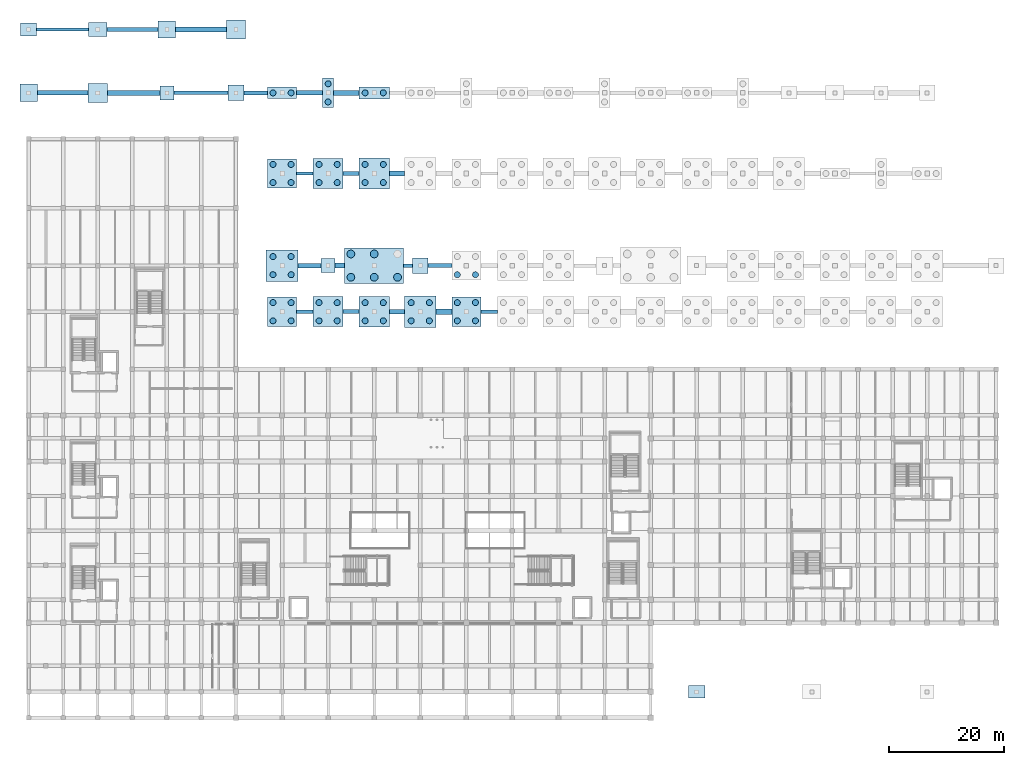
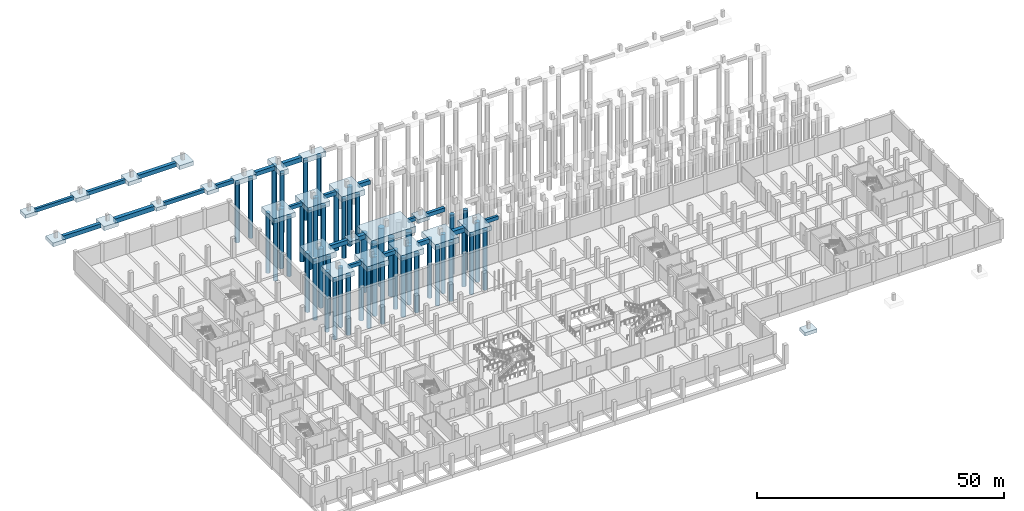
# One storey, part 1 of 36: 49 piles, 45 footings.
"""IFC4 building model written with IfcOpenShell, lengths in metres."""

from ifc_helpers import new_model, si_unit, direction, frame, origin, origin_2d, place, context, subcontext, project, spatial, rectangle, circle, extrude, material, material_profile, profile_set, type_object, element, save


model = new_model("IFC4")

# Units and contexts
model_context = context("Model", 3, precision=1e-05, world=origin(), true_north=direction((0.0, 1.0)))
body_context = subcontext(model_context, "Body", "Model", "MODEL_VIEW")
ifc_project = project(units=[si_unit("LENGTHUNIT", "METRE"), si_unit("AREAUNIT", "SQUARE_METRE"), si_unit("VOLUMEUNIT", "CUBIC_METRE"), si_unit("PLANEANGLEUNIT", "RADIAN"), si_unit("MASSUNIT", "GRAM", prefix="KILO")], contexts=[model_context])

# Site, building, storey
site_placement = place(None, origin())
site = spatial("IfcSite", under=ifc_project, at=site_placement, CompositionType="ELEMENT")
building_placement = place(site_placement, origin())
building = spatial("IfcBuilding", under=site, at=building_placement, Name="Verrall Gate Interchange", CompositionType="ELEMENT")
storey_placement = place(building_placement, frame((0.0, 0.0, -4.800048828125)))
storey = spatial("IfcBuildingStorey", under=building, at=storey_placement, Name="B1", CompositionType="ELEMENT", Elevation=-4.800048828125)

# Footings
ifc_material_1 = material(Name="Concrete CSA A23.1 35 MPa (Class S-2)", Category="concrete")
footing_type_1 = type_object("IfcFootingType", Name="PC-02A Pile Cap 5050x1950x1200", PredefinedType="PILE_CAP", material=ifc_material_1)
footing_1_placement = place(storey_placement, frame((44.0, 104.0, 2.0), z_axis=(0.0, 0.0, 1.0), x_axis=(1.0, 0.0, 0.0)))
element("IfcFooting", 1, at=footing_1_placement, inside=storey, type_object=footing_type_1, Name="Pile Cap FTG-CAP-42 (PC-02A)", PredefinedType="PILE_CAP", context=body_context, shape_type="SweptSolid", body=[
    extrude(rectangle(XDim=5.050048828125, YDim=1.949951171875, at=origin_2d()), origin(), (0.0, 0.0, 1.0), 1.199951171875),
])
ifc_material_2 = material(Name="Concrete CSA A23.1 35 MPa (Class S-2)", Category="concrete")
footing_type_2 = type_object("IfcFootingType", Name="PC-02B Pile Cap 1950x5150x1220", PredefinedType="PILE_CAP", material=ifc_material_2)
footing_2_placement = place(storey_placement, frame((52.0, 104.0, 1.97998046875), z_axis=(0.0, 0.0, 1.0), x_axis=(1.0, 0.0, 0.0)))
element("IfcFooting", 2, at=footing_2_placement, inside=storey, type_object=footing_type_2, Name="Pile Cap FTG-CAP-43 (PC-02B)", PredefinedType="PILE_CAP", context=body_context, shape_type="SweptSolid", body=[
    extrude(rectangle(XDim=1.949951171875, YDim=5.14990234375, at=origin_2d()), origin(), (0.0, 0.0, 1.0), 1.219970703125),
])
ifc_material_3 = material(Name="Concrete CSA A23.1 35 MPa (Class S-2)", Category="concrete")
footing_type_3 = type_object("IfcFootingType", Name="PC-02C Pile Cap 5250x2050x1250", PredefinedType="PILE_CAP", material=ifc_material_3)
footing_3_placement = place(storey_placement, frame((60.0, 104.0, 1.949951171875), z_axis=(0.0, 0.0, 1.0), x_axis=(1.0, 0.0, 0.0)))
element("IfcFooting", 3, at=footing_3_placement, inside=storey, type_object=footing_type_3, Name="Pile Cap FTG-CAP-44 (PC-02C)", PredefinedType="PILE_CAP", context=body_context, shape_type="SweptSolid", body=[
    extrude(rectangle(XDim=5.25, YDim=2.050048828125, at=origin_2d()), origin(), (0.0, 0.0, 1.0), 1.25),
])
ifc_material_4 = material(Name="Concrete CSA A23.1 35 MPa (Class S-2)", Category="concrete")
footing_type_4 = type_object("IfcFootingType", Name="PC-04A Pile Cap 5050x5050x1200", PredefinedType="PILE_CAP", material=ifc_material_4)
for number, where, z_axis, x_axis, name in (
    (4, (44.0, 66.0, 2.0), (0.0, 0.0, 1.0), (1.0, 0.0, 0.0), "Pile Cap FTG-CAP-03 (PC-04A)"),
    (5, (76.0, 66.0, 2.0), (0.0, 0.0, 1.0), (1.0, 0.0, 0.0), "Pile Cap FTG-CAP-07 (PC-04A)"),
    (6, (44.0, 90.0, 2.0), (0.0, 0.0, 1.0), (1.0, 0.0, 0.0), "Pile Cap FTG-CAP-27 (PC-04A)"),
):
    element("IfcFooting", number, at=place(storey_placement, frame(where, z_axis=z_axis, x_axis=x_axis)), inside=storey, type_object=footing_type_4, Name=name, PredefinedType="PILE_CAP", context=body_context, shape_type="SweptSolid", body=[
        extrude(rectangle(XDim=5.050048828125, YDim=5.050048828125, at=origin_2d()), origin(), (0.0, 0.0, 1.0), 1.199951171875),
    ])
ifc_material_5 = material(Name="Concrete CSA A23.1 35 MPa (Class S-2)", Category="concrete")
footing_type_5 = type_object("IfcFootingType", Name="PC-04B Pile Cap 5200x5200x1300", PredefinedType="PILE_CAP", material=ifc_material_5)
for number, where, z_axis, x_axis, name in (
    (7, (52.0, 66.0, 1.89990234375), (0.0, 0.0, 1.0), (1.0, 0.0, 0.0), "Pile Cap FTG-CAP-04 (PC-04B)"),
    (8, (52.0, 90.0, 1.89990234375), (0.0, 0.0, 1.0), (1.0, 0.0, 0.0), "Pile Cap FTG-CAP-28 (PC-04B)"),
):
    element("IfcFooting", number, at=place(storey_placement, frame(where, z_axis=z_axis, x_axis=x_axis)), inside=storey, type_object=footing_type_5, Name=name, PredefinedType="PILE_CAP", context=body_context, shape_type="SweptSolid", body=[
        extrude(rectangle(XDim=5.199951171875, YDim=5.199951171875, at=origin_2d()), origin(), (0.0, 0.0, 1.0), 1.300048828125),
    ])
ifc_material_6 = material(Name="Concrete CSA A23.1 35 MPa (Class S-2)", Category="concrete")
footing_type_6 = type_object("IfcFootingType", Name="PC-04C Pile Cap 5350x5350x1350", PredefinedType="PILE_CAP", material=ifc_material_6)
for number, where, z_axis, x_axis, name in (
    (9, (60.0, 66.0, 1.85009765625), (0.0, 0.0, 1.0), (1.0, 0.0, 0.0), "Pile Cap FTG-CAP-05 (PC-04C)"),
    (10, (60.0, 90.0, 1.85009765625), (0.0, 0.0, 1.0), (1.0, 0.0, 0.0), "Pile Cap FTG-CAP-29 (PC-04C)"),
):
    element("IfcFooting", number, at=place(storey_placement, frame(where, z_axis=z_axis, x_axis=x_axis)), inside=storey, type_object=footing_type_6, Name=name, PredefinedType="PILE_CAP", context=body_context, shape_type="SweptSolid", body=[
        extrude(rectangle(XDim=5.35009765625, YDim=5.35009765625, at=origin_2d()), origin(), (0.0, 0.0, 1.0), 1.35009765625),
    ])
ifc_material_7 = material(Name="Concrete CSA A23.1 35 MPa (Class S-2)", Category="concrete")
footing_type_7 = type_object("IfcFootingType", Name="PC-04D Pile Cap 5500x5500x1400", PredefinedType="PILE_CAP", material=ifc_material_7)
for number, where, z_axis, x_axis, name in (
    (11, (68.0, 66.0, 1.800048828125), (0.0, 0.0, 1.0), (1.0, 0.0, 0.0), "Pile Cap FTG-CAP-06 (PC-04D)"),
    (12, (44.0, 74.0, 1.800048828125), (0.0, 0.0, 1.0), (1.0, 0.0, 0.0), "Pile Cap FTG-CAP-18 (PC-04D)"),
):
    element("IfcFooting", number, at=place(storey_placement, frame(where, z_axis=z_axis, x_axis=x_axis)), inside=storey, type_object=footing_type_7, Name=name, PredefinedType="PILE_CAP", context=body_context, shape_type="SweptSolid", body=[
        extrude(rectangle(XDim=5.5, YDim=5.5, at=origin_2d()), origin(), (0.0, 0.0, 1.0), 1.39990234375),
    ])
ifc_material_8 = material(Name="Concrete CSA A23.1 35 MPa (Class S-2)", Category="concrete")
footing_type_8 = type_object("IfcFootingType", Name="PC-06A Pile Cap 10250x6200x1500", PredefinedType="PILE_CAP", material=ifc_material_8)
footing_4_placement = place(storey_placement, frame((60.0, 74.0, 1.699951171875), z_axis=(0.0, 0.0, 1.0), x_axis=(1.0, 0.0, 0.0)))
element("IfcFooting", 13, at=footing_4_placement, inside=storey, type_object=footing_type_8, Name="Pile Cap FTG-CAP-01 (PC-06A)", PredefinedType="PILE_CAP", context=body_context, shape_type="SweptSolid", body=[
    extrude(rectangle(XDim=10.25, YDim=6.199951171875, at=origin_2d()), origin(), (0.0, 0.0, 1.0), 1.5),
])
ifc_material_9 = material(Name="Concrete CSA A23.1 35 MPa (Class S-2)", Category="concrete")
footing_type_9 = type_object("IfcFootingType", Name="PF-01 Pad Footing 2400x2400x850", PredefinedType="PAD_FOOTING", material=ifc_material_9)
for number, where, z_axis, x_axis, name in (
    (14, (52.0, 74.0, 2.35009765625), (0.0, 0.0, 1.0), (1.0, 0.0, 0.0), "Pad Footing FTG-PAD-01 (PF-01)"),
    (15, (24.0, 104.0, 2.35009765625), (0.0, 0.0, 1.0), (1.0, 0.0, 0.0), "Pad Footing FTG-PAD-13 (PF-01)"),
):
    element("IfcFooting", number, at=place(storey_placement, frame(where, z_axis=z_axis, x_axis=x_axis)), inside=storey, type_object=footing_type_9, Name=name, PredefinedType="PAD_FOOTING", context=body_context, shape_type="SweptSolid", body=[
        extrude(rectangle(XDim=2.39990234375, YDim=2.39990234375, at=origin_2d()), origin(), (0.0, 0.0, 1.0), 0.85009765625),
    ])
ifc_material_10 = material(Name="Concrete CSA A23.1 35 MPa (Class S-2)", Category="concrete")
footing_type_10 = type_object("IfcFootingType", Name="PF-02 Pad Footing 2700x2700x900", PredefinedType="PAD_FOOTING", material=ifc_material_10)
for number, where, z_axis, x_axis, name in (
    (16, (68.0, 74.0, 2.300048828125), (0.0, 0.0, 1.0), (1.0, 0.0, 0.0), "Pad Footing FTG-PAD-02 (PF-02)"),
    (17, (36.0, 104.0, 2.300048828125), (0.0, 0.0, 1.0), (1.0, 0.0, 0.0), "Pad Footing FTG-PAD-14 (PF-02)"),
):
    element("IfcFooting", number, at=place(storey_placement, frame(where, z_axis=z_axis, x_axis=x_axis)), inside=storey, type_object=footing_type_10, Name=name, PredefinedType="PAD_FOOTING", context=body_context, shape_type="SweptSolid", body=[
        extrude(rectangle(XDim=2.699951171875, YDim=2.699951171875, at=origin_2d()), origin(), (0.0, 0.0, 1.0), 0.89990234375),
    ])
ifc_material_11 = material(Name="Concrete CSA A23.1 35 MPa (Class S-2)", Category="concrete")
footing_type_11 = type_object("IfcFootingType", Name="PF-03 Pad Footing 3000x3000x950", PredefinedType="PAD_FOOTING", material=ifc_material_11)
for number, where, z_axis, x_axis, name in (
    (18, (0.0, 104.0, 2.25), (0.0, 0.0, 1.0), (1.0, 0.0, 0.0), "Pad Footing FTG-PAD-09 (PF-03)"),
    (19, (24.0, 115.0, 2.25), (0.0, 0.0, 1.0), (1.0, 0.0, 0.0), "Pad Footing FTG-PAD-15 (PF-03)"),
):
    element("IfcFooting", number, at=place(storey_placement, frame(where, z_axis=z_axis, x_axis=x_axis)), inside=storey, type_object=footing_type_11, Name=name, PredefinedType="PAD_FOOTING", context=body_context, shape_type="SweptSolid", body=[
        extrude(rectangle(XDim=3.0, YDim=3.0, at=origin_2d()), origin(), (0.0, 0.0, 1.0), 0.949951171875),
    ])
ifc_material_12 = material(Name="Concrete CSA A23.1 35 MPa (Class S-2)", Category="concrete")
footing_type_12 = type_object("IfcFootingType", Name="PF-04 Pad Footing 3300x3300x1000", PredefinedType="PAD_FOOTING", material=ifc_material_12)
for number, where, z_axis, x_axis, name in (
    (20, (12.0, 104.0, 2.199951171875), (0.0, 0.0, 1.0), (1.0, 0.0, 0.0), "Pad Footing FTG-PAD-10 (PF-04)"),
    (21, (36.0, 115.0, 2.199951171875), (0.0, 0.0, 1.0), (1.0, 0.0, 0.0), "Pad Footing FTG-PAD-16 (PF-04)"),
):
    element("IfcFooting", number, at=place(storey_placement, frame(where, z_axis=z_axis, x_axis=x_axis)), inside=storey, type_object=footing_type_12, Name=name, PredefinedType="PAD_FOOTING", context=body_context, shape_type="SweptSolid", body=[
        extrude(rectangle(XDim=3.300048828125, YDim=3.300048828125, at=origin_2d()), origin(), (0.0, 0.0, 1.0), 1.0),
    ])
ifc_material_13 = material(Name="Concrete CSA A23.1 35 MPa (Class S-2)", Category="concrete")
footing_type_13 = type_object("IfcFootingType", Name="PF-05 Pad Footing 2800x2200x850", PredefinedType="PAD_FOOTING", material=ifc_material_13)
for number, where, z_axis, x_axis, name in (
    (22, (0.0, 115.0, 2.35009765625), (0.0, 0.0, 1.0), (1.0, 0.0, 0.0), "Pad Footing FTG-PAD-11 (PF-05)"),
    (23, (116.0, 0.0, 2.35009765625), (0.0, 0.0, 1.0), (1.0, 0.0, 0.0), "Pad Footing FTG-PAD-17 (PF-05)"),
):
    element("IfcFooting", number, at=place(storey_placement, frame(where, z_axis=z_axis, x_axis=x_axis)), inside=storey, type_object=footing_type_13, Name=name, PredefinedType="PAD_FOOTING", context=body_context, shape_type="SweptSolid", body=[
        extrude(rectangle(XDim=2.800048828125, YDim=2.199951171875, at=origin_2d()), origin(), (0.0, 0.0, 1.0), 0.85009765625),
    ])
ifc_material_14 = material(Name="Concrete CSA A23.1 35 MPa (Class S-2)", Category="concrete")
footing_type_14 = type_object("IfcFootingType", Name="PF-06 Pad Footing 3200x2500x950", PredefinedType="PAD_FOOTING", material=ifc_material_14)
footing_5_placement = place(storey_placement, frame((12.0, 115.0, 2.25), z_axis=(0.0, 0.0, 1.0), x_axis=(1.0, 0.0, 0.0)))
element("IfcFooting", 24, at=footing_5_placement, inside=storey, type_object=footing_type_14, Name="Pad Footing FTG-PAD-12 (PF-06)", PredefinedType="PAD_FOOTING", context=body_context, shape_type="SweptSolid", body=[
    extrude(rectangle(XDim=3.199951171875, YDim=2.5, at=origin_2d()), origin(), (0.0, 0.0, 1.0), 0.949951171875),
])

# Piles
ifc_material_15 = material(Name="Concrete CSA A23.1 35 MPa (Class S-2)", Category="concrete")
ifc_material_profile_1 = material_profile(ifc_material_15, circle(Radius=0.52490234375, at=origin_2d()), Name="PILE1050D")
ifc_profile_set_1 = profile_set([ifc_material_profile_1], Name="Concrete CSA A23.1 35 MPa (Class S-2)")
pile_type_1 = type_object("IfcPileType", Name="PT-02 Bored Pile 1050", PredefinedType="BORED", material=ifc_profile_set_1)
for number, where, z_axis, x_axis, name in (
    (25, (42.425048828125, 64.425048828125, 2.150146484375), (0.0, 0.0, -1.0), (1.0, 0.0, 0.0), "Bored Rock-Socketed Pile P-277 (PT-02)"),
    (26, (42.425048828125, 67.574951171875, 2.150146484375), (0.0, 0.0, -1.0), (1.0, 0.0, 0.0), "Bored Rock-Socketed Pile P-278 (PT-02)"),
    (27, (45.574951171875, 64.425048828125, 2.150146484375), (0.0, 0.0, -1.0), (1.0, 0.0, 0.0), "Bored Rock-Socketed Pile P-279 (PT-02)"),
    (28, (45.574951171875, 67.574951171875, 2.150146484375), (0.0, 0.0, -1.0), (1.0, 0.0, 0.0), "Bored Rock-Socketed Pile P-280 (PT-02)"),
):
    element("IfcPile", number, at=place(storey_placement, frame(where, z_axis=z_axis, x_axis=x_axis)), inside=storey, type_object=pile_type_1, Name=name, PredefinedType="BORED", context=body_context, shape_type="SweptSolid", body=[
        extrude(circle(Radius=0.52490234375, at=origin_2d()), origin(), (0.0, 0.0, 1.0), 14.85009765625),
    ])
for number, where, z_axis, x_axis, name in (
    (29, (50.425048828125, 64.425048828125, 2.050048828125), (0.0, 0.0, -1.0), (1.0, 0.0, 0.0), "Bored Rock-Socketed Pile P-281 (PT-02)"),
    (30, (50.425048828125, 67.574951171875, 2.050048828125), (0.0, 0.0, -1.0), (1.0, 0.0, 0.0), "Bored Rock-Socketed Pile P-282 (PT-02)"),
    (31, (53.574951171875, 64.425048828125, 2.050048828125), (0.0, 0.0, -1.0), (1.0, 0.0, 0.0), "Bored Rock-Socketed Pile P-283 (PT-02)"),
    (32, (53.574951171875, 67.574951171875, 2.050048828125), (0.0, 0.0, -1.0), (1.0, 0.0, 0.0), "Bored Rock-Socketed Pile P-284 (PT-02)"),
):
    element("IfcPile", number, at=place(storey_placement, frame(where, z_axis=z_axis, x_axis=x_axis)), inside=storey, type_object=pile_type_1, Name=name, PredefinedType="BORED", context=body_context, shape_type="SweptSolid", body=[
        extrude(circle(Radius=0.52490234375, at=origin_2d()), origin(), (0.0, 0.0, 1.0), 14.75),
    ])
for number, where, z_axis, x_axis, name in (
    (33, (58.425048828125, 64.425048828125, 2.0), (0.0, 0.0, -1.0), (1.0, 0.0, 0.0), "Bored Rock-Socketed Pile P-285 (PT-02)"),
    (34, (58.425048828125, 67.574951171875, 2.0), (0.0, 0.0, -1.0), (1.0, 0.0, 0.0), "Bored Rock-Socketed Pile P-286 (PT-02)"),
    (35, (61.574951171875, 64.425048828125, 2.0), (0.0, 0.0, -1.0), (1.0, 0.0, 0.0), "Bored Rock-Socketed Pile P-287 (PT-02)"),
    (36, (61.574951171875, 67.574951171875, 2.0), (0.0, 0.0, -1.0), (1.0, 0.0, 0.0), "Bored Rock-Socketed Pile P-288 (PT-02)"),
):
    element("IfcPile", number, at=place(storey_placement, frame(where, z_axis=z_axis, x_axis=x_axis)), inside=storey, type_object=pile_type_1, Name=name, PredefinedType="BORED", context=body_context, shape_type="SweptSolid", body=[
        extrude(circle(Radius=0.52490234375, at=origin_2d()), origin(), (0.0, 0.0, 1.0), 14.699951171875),
    ])
for number, where, z_axis, x_axis, name in (
    (37, (66.425048828125, 64.425048828125, 1.949951171875), (0.0, 0.0, -1.0), (1.0, 0.0, 0.0), "Bored Rock-Socketed Pile P-289 (PT-02)"),
    (38, (66.425048828125, 67.574951171875, 1.949951171875), (0.0, 0.0, -1.0), (1.0, 0.0, 0.0), "Bored Rock-Socketed Pile P-290 (PT-02)"),
    (39, (69.574951171875, 64.425048828125, 1.949951171875), (0.0, 0.0, -1.0), (1.0, 0.0, 0.0), "Bored Rock-Socketed Pile P-291 (PT-02)"),
    (40, (69.574951171875, 67.574951171875, 1.949951171875), (0.0, 0.0, -1.0), (1.0, 0.0, 0.0), "Bored Rock-Socketed Pile P-292 (PT-02)"),
):
    element("IfcPile", number, at=place(storey_placement, frame(where, z_axis=z_axis, x_axis=x_axis)), inside=storey, type_object=pile_type_1, Name=name, PredefinedType="BORED", context=body_context, shape_type="SweptSolid", body=[
        extrude(circle(Radius=0.52490234375, at=origin_2d()), origin(), (0.0, 0.0, 1.0), 14.64990234375),
    ])
for number, where, z_axis, x_axis, name in (
    (41, (74.425048828125, 64.425048828125, 2.150146484375), (0.0, 0.0, -1.0), (1.0, 0.0, 0.0), "Bored Rock-Socketed Pile P-293 (PT-02)"),
    (42, (74.425048828125, 67.574951171875, 2.150146484375), (0.0, 0.0, -1.0), (1.0, 0.0, 0.0), "Bored Rock-Socketed Pile P-294 (PT-02)"),
    (43, (77.574951171875, 64.425048828125, 2.150146484375), (0.0, 0.0, -1.0), (1.0, 0.0, 0.0), "Bored Rock-Socketed Pile P-295 (PT-02)"),
    (44, (77.574951171875, 67.574951171875, 2.150146484375), (0.0, 0.0, -1.0), (1.0, 0.0, 0.0), "Bored Rock-Socketed Pile P-296 (PT-02)"),
):
    element("IfcPile", number, at=place(storey_placement, frame(where, z_axis=z_axis, x_axis=x_axis)), inside=storey, type_object=pile_type_1, Name=name, PredefinedType="BORED", context=body_context, shape_type="SweptSolid", body=[
        extrude(circle(Radius=0.52490234375, at=origin_2d()), origin(), (0.0, 0.0, 1.0), 14.85009765625),
    ])
for number, where, z_axis, x_axis, name in (
    (45, (42.425048828125, 72.425048828125, 1.949951171875), (0.0, 0.0, -1.0), (1.0, 0.0, 0.0), "Bored Rock-Socketed Pile P-337 (PT-02)"),
    (46, (42.425048828125, 75.574951171875, 1.949951171875), (0.0, 0.0, -1.0), (1.0, 0.0, 0.0), "Bored Rock-Socketed Pile P-338 (PT-02)"),
    (47, (45.574951171875, 72.425048828125, 1.949951171875), (0.0, 0.0, -1.0), (1.0, 0.0, 0.0), "Bored Rock-Socketed Pile P-339 (PT-02)"),
    (48, (45.574951171875, 75.574951171875, 1.949951171875), (0.0, 0.0, -1.0), (1.0, 0.0, 0.0), "Bored Rock-Socketed Pile P-340 (PT-02)"),
):
    element("IfcPile", number, at=place(storey_placement, frame(where, z_axis=z_axis, x_axis=x_axis)), inside=storey, type_object=pile_type_1, Name=name, PredefinedType="BORED", context=body_context, shape_type="SweptSolid", body=[
        extrude(circle(Radius=0.52490234375, at=origin_2d()), origin(), (0.0, 0.0, 1.0), 14.64990234375),
    ])
for number, where, z_axis, x_axis, name in (
    (49, (74.425048828125, 72.425048828125, 2.150146484375), (0.0, 0.0, -1.0), (1.0, 0.0, 0.0), "Bored Rock-Socketed Pile P-341 (PT-02)"),
    (50, (77.574951171875, 72.425048828125, 2.150146484375), (0.0, 0.0, -1.0), (1.0, 0.0, 0.0), "Bored Rock-Socketed Pile P-343 (PT-02)"),
    (51, (42.425048828125, 88.425048828125, 2.150146484375), (0.0, 0.0, -1.0), (1.0, 0.0, 0.0), "Bored Rock-Socketed Pile P-373 (PT-02)"),
    (52, (42.425048828125, 91.574951171875, 2.150146484375), (0.0, 0.0, -1.0), (1.0, 0.0, 0.0), "Bored Rock-Socketed Pile P-374 (PT-02)"),
    (53, (45.574951171875, 88.425048828125, 2.150146484375), (0.0, 0.0, -1.0), (1.0, 0.0, 0.0), "Bored Rock-Socketed Pile P-375 (PT-02)"),
    (54, (45.574951171875, 91.574951171875, 2.150146484375), (0.0, 0.0, -1.0), (1.0, 0.0, 0.0), "Bored Rock-Socketed Pile P-376 (PT-02)"),
):
    element("IfcPile", number, at=place(storey_placement, frame(where, z_axis=z_axis, x_axis=x_axis)), inside=storey, type_object=pile_type_1, Name=name, PredefinedType="BORED", context=body_context, shape_type="SweptSolid", body=[
        extrude(circle(Radius=0.52490234375, at=origin_2d()), origin(), (0.0, 0.0, 1.0), 14.85009765625),
    ])
for number, where, z_axis, x_axis, name in (
    (55, (50.425048828125, 88.425048828125, 2.050048828125), (0.0, 0.0, -1.0), (1.0, 0.0, 0.0), "Bored Rock-Socketed Pile P-377 (PT-02)"),
    (56, (50.425048828125, 91.574951171875, 2.050048828125), (0.0, 0.0, -1.0), (1.0, 0.0, 0.0), "Bored Rock-Socketed Pile P-378 (PT-02)"),
    (57, (53.574951171875, 88.425048828125, 2.050048828125), (0.0, 0.0, -1.0), (1.0, 0.0, 0.0), "Bored Rock-Socketed Pile P-379 (PT-02)"),
    (58, (53.574951171875, 91.574951171875, 2.050048828125), (0.0, 0.0, -1.0), (1.0, 0.0, 0.0), "Bored Rock-Socketed Pile P-380 (PT-02)"),
):
    element("IfcPile", number, at=place(storey_placement, frame(where, z_axis=z_axis, x_axis=x_axis)), inside=storey, type_object=pile_type_1, Name=name, PredefinedType="BORED", context=body_context, shape_type="SweptSolid", body=[
        extrude(circle(Radius=0.52490234375, at=origin_2d()), origin(), (0.0, 0.0, 1.0), 14.75),
    ])
for number, where, z_axis, x_axis, name in (
    (59, (58.425048828125, 88.425048828125, 2.0), (0.0, 0.0, -1.0), (1.0, 0.0, 0.0), "Bored Rock-Socketed Pile P-381 (PT-02)"),
    (60, (58.425048828125, 91.574951171875, 2.0), (0.0, 0.0, -1.0), (1.0, 0.0, 0.0), "Bored Rock-Socketed Pile P-382 (PT-02)"),
    (61, (61.574951171875, 88.425048828125, 2.0), (0.0, 0.0, -1.0), (1.0, 0.0, 0.0), "Bored Rock-Socketed Pile P-383 (PT-02)"),
    (62, (61.574951171875, 91.574951171875, 2.0), (0.0, 0.0, -1.0), (1.0, 0.0, 0.0), "Bored Rock-Socketed Pile P-384 (PT-02)"),
):
    element("IfcPile", number, at=place(storey_placement, frame(where, z_axis=z_axis, x_axis=x_axis)), inside=storey, type_object=pile_type_1, Name=name, PredefinedType="BORED", context=body_context, shape_type="SweptSolid", body=[
        extrude(circle(Radius=0.52490234375, at=origin_2d()), origin(), (0.0, 0.0, 1.0), 14.699951171875),
    ])
for number, where, z_axis, x_axis, name in (
    (63, (42.425048828125, 104.0, 2.150146484375), (0.0, 0.0, -1.0), (1.0, 0.0, 0.0), "Bored Rock-Socketed Pile P-427 (PT-02)"),
    (64, (45.574951171875, 104.0, 2.150146484375), (0.0, 0.0, -1.0), (1.0, 0.0, 0.0), "Bored Rock-Socketed Pile P-428 (PT-02)"),
):
    element("IfcPile", number, at=place(storey_placement, frame(where, z_axis=z_axis, x_axis=x_axis)), inside=storey, type_object=pile_type_1, Name=name, PredefinedType="BORED", context=body_context, shape_type="SweptSolid", body=[
        extrude(circle(Radius=0.52490234375, at=origin_2d()), origin(), (0.0, 0.0, 1.0), 14.85009765625),
    ])
for number, where, z_axis, x_axis, name in (
    (65, (52.0, 102.425048828125, 2.130126953125), (0.0, 0.0, -1.0), (1.0, 0.0, 0.0), "Bored Rock-Socketed Pile P-429 (PT-02)"),
    (66, (52.0, 105.574951171875, 2.130126953125), (0.0, 0.0, -1.0), (1.0, 0.0, 0.0), "Bored Rock-Socketed Pile P-430 (PT-02)"),
):
    element("IfcPile", number, at=place(storey_placement, frame(where, z_axis=z_axis, x_axis=x_axis)), inside=storey, type_object=pile_type_1, Name=name, PredefinedType="BORED", context=body_context, shape_type="SweptSolid", body=[
        extrude(circle(Radius=0.52490234375, at=origin_2d()), origin(), (0.0, 0.0, 1.0), 14.830078125),
    ])
for number, where, z_axis, x_axis, name in (
    (67, (58.425048828125, 104.0, 2.10009765625), (0.0, 0.0, -1.0), (1.0, 0.0, 0.0), "Bored Rock-Socketed Pile P-431 (PT-02)"),
    (68, (61.574951171875, 104.0, 2.10009765625), (0.0, 0.0, -1.0), (1.0, 0.0, 0.0), "Bored Rock-Socketed Pile P-432 (PT-02)"),
):
    element("IfcPile", number, at=place(storey_placement, frame(where, z_axis=z_axis, x_axis=x_axis)), inside=storey, type_object=pile_type_1, Name=name, PredefinedType="BORED", context=body_context, shape_type="SweptSolid", body=[
        extrude(circle(Radius=0.52490234375, at=origin_2d()), origin(), (0.0, 0.0, 1.0), 14.800048828125),
    ])
ifc_material_16 = material(Name="Concrete CSA A23.1 35 MPa (Class S-2)", Category="concrete")
ifc_material_profile_2 = material_profile(ifc_material_16, circle(Radius=0.675048828125, at=origin_2d()), Name="PILE1350D")
ifc_profile_set_2 = profile_set([ifc_material_profile_2], Name="Concrete CSA A23.1 35 MPa (Class S-2)")
pile_type_2 = type_object("IfcPileType", Name="PT-03 Bored Pile 1350", PredefinedType="BORED", material=ifc_profile_set_2)
for number, where, z_axis, x_axis, name in (
    (69, (55.949951171875, 71.97509765625, 1.85009765625), (0.0, 0.0, -1.0), (1.0, 0.0, 0.0), "Bored Rock-Socketed Pile P-265 (PT-03)"),
    (70, (55.949951171875, 76.02490234375, 1.85009765625), (0.0, 0.0, -1.0), (1.0, 0.0, 0.0), "Bored Rock-Socketed Pile P-266 (PT-03)"),
    (71, (60.0, 71.97509765625, 1.85009765625), (0.0, 0.0, -1.0), (1.0, 0.0, 0.0), "Bored Rock-Socketed Pile P-267 (PT-03)"),
    (72, (60.0, 76.02490234375, 1.85009765625), (0.0, 0.0, -1.0), (1.0, 0.0, 0.0), "Bored Rock-Socketed Pile P-268 (PT-03)"),
    (73, (64.050048828125, 71.97509765625, 1.85009765625), (0.0, 0.0, -1.0), (1.0, 0.0, 0.0), "Bored Rock-Socketed Pile P-269 (PT-03)"),
):
    element("IfcPile", number, at=place(storey_placement, frame(where, z_axis=z_axis, x_axis=x_axis)), inside=storey, type_object=pile_type_2, Name=name, PredefinedType="BORED", context=body_context, shape_type="SweptSolid", body=[
        extrude(circle(Radius=0.675048828125, at=origin_2d()), origin(), (0.0, 0.0, 1.0), 14.550048828125),
    ])

# Footings
ifc_material_17 = material(Name="Concrete CSA A23.1 35 MPa (Class S-2)", Category="concrete")
footing_type_15 = type_object("IfcFootingType", Name="SF-01 Strip Footing 600x900", PredefinedType="STRIP_FOOTING", material=ifc_material_17)
for number, where, z_axis, x_axis, name in (
    (74, (47.96240234375, 66.0, 2.300048828125), (0.0, 0.0, 1.0), (1.0, 0.0, 0.0), "Grade Strip Footing FTG-SF-01"),
    (75, (79.96240234375, 66.0, 2.300048828125), (0.0, 0.0, 1.0), (1.0, 0.0, 0.0), "Grade Strip Footing FTG-SF-05"),
):
    element("IfcFooting", number, at=place(storey_placement, frame(where, z_axis=z_axis, x_axis=x_axis)), inside=storey, type_object=footing_type_15, Name=name, PredefinedType="STRIP_FOOTING", context=body_context, shape_type="SweptSolid", body=[
        extrude(rectangle(XDim=2.875, YDim=0.60009765625, at=origin_2d()), origin(), (0.0, 0.0, 1.0), 0.89990234375),
    ])
footing_6_placement = place(storey_placement, frame((65.887451171875, 74.0, 2.300048828125), z_axis=(0.0, 0.0, 1.0), x_axis=(1.0, 0.0, 0.0)))
element("IfcFooting", 76, at=footing_6_placement, inside=storey, type_object=footing_type_15, Name="Grade Strip Footing FTG-SF-17", PredefinedType="STRIP_FOOTING", context=body_context, shape_type="SweptSolid", body=[
    extrude(rectangle(XDim=1.52490234375, YDim=0.60009765625, at=origin_2d()), origin(), (0.0, 0.0, 1.0), 0.89990234375),
])
footing_7_placement = place(storey_placement, frame((47.96240234375, 90.0, 2.300048828125), z_axis=(0.0, 0.0, 1.0), x_axis=(1.0, 0.0, 0.0)))
element("IfcFooting", 77, at=footing_7_placement, inside=storey, type_object=footing_type_15, Name="Grade Strip Footing FTG-SF-29", PredefinedType="STRIP_FOOTING", context=body_context, shape_type="SweptSolid", body=[
    extrude(rectangle(XDim=2.875, YDim=0.60009765625, at=origin_2d()), origin(), (0.0, 0.0, 1.0), 0.89990234375),
])
footing_8_placement = place(storey_placement, frame((29.925048828125, 104.0, 2.300048828125), z_axis=(0.0, 0.0, 1.0), x_axis=(1.0, 0.0, 0.0)))
element("IfcFooting", 78, at=footing_8_placement, inside=storey, type_object=footing_type_15, Name="Grade Strip Footing FTG-SF-45", PredefinedType="STRIP_FOOTING", context=body_context, shape_type="SweptSolid", body=[
    extrude(rectangle(XDim=9.449951171875, YDim=0.60009765625, at=origin_2d()), origin(), (0.0, 0.0, 1.0), 0.89990234375),
])
footing_9_placement = place(storey_placement, frame((5.89990234375, 115.0, 2.300048828125), z_axis=(0.0, 0.0, 1.0), x_axis=(1.0, 0.0, 0.0)))
element("IfcFooting", 79, at=footing_9_placement, inside=storey, type_object=footing_type_15, Name="Grade Strip Footing FTG-SF-61", PredefinedType="STRIP_FOOTING", context=body_context, shape_type="SweptSolid", body=[
    extrude(rectangle(XDim=9.0, YDim=0.60009765625, at=origin_2d()), origin(), (0.0, 0.0, 1.0), 0.89990234375),
])
ifc_material_18 = material(Name="Concrete CSA A23.1 35 MPa (Class S-2)", Category="concrete")
footing_type_16 = type_object("IfcFootingType", Name="SF-02 Strip Footing 700x950", PredefinedType="STRIP_FOOTING", material=ifc_material_18)
footing_10_placement = place(storey_placement, frame((55.96240234375, 66.0, 2.25), z_axis=(0.0, 0.0, 1.0), x_axis=(1.0, 0.0, 0.0)))
element("IfcFooting", 80, at=footing_10_placement, inside=storey, type_object=footing_type_16, Name="Grade Strip Footing FTG-SF-02", PredefinedType="STRIP_FOOTING", context=body_context, shape_type="SweptSolid", body=[
    extrude(rectangle(XDim=2.72509765625, YDim=0.699951171875, at=origin_2d()), origin(), (0.0, 0.0, 1.0), 0.949951171875),
])
footing_11_placement = place(storey_placement, frame((71.41259765625, 74.0, 2.25), z_axis=(0.0, 0.0, 1.0), x_axis=(1.0, 0.0, 0.0)))
element("IfcFooting", 81, at=footing_11_placement, inside=storey, type_object=footing_type_16, Name="Grade Strip Footing FTG-SF-18", PredefinedType="STRIP_FOOTING", context=body_context, shape_type="SweptSolid", body=[
    extrude(rectangle(XDim=4.125, YDim=0.699951171875, at=origin_2d()), origin(), (0.0, 0.0, 1.0), 0.949951171875),
])
footing_12_placement = place(storey_placement, frame((55.96240234375, 90.0, 2.25), z_axis=(0.0, 0.0, 1.0), x_axis=(1.0, 0.0, 0.0)))
element("IfcFooting", 82, at=footing_12_placement, inside=storey, type_object=footing_type_16, Name="Grade Strip Footing FTG-SF-30", PredefinedType="STRIP_FOOTING", context=body_context, shape_type="SweptSolid", body=[
    extrude(rectangle(XDim=2.72509765625, YDim=0.699951171875, at=origin_2d()), origin(), (0.0, 0.0, 1.0), 0.949951171875),
])
footing_13_placement = place(storey_placement, frame((39.41259765625, 104.0, 2.25), z_axis=(0.0, 0.0, 1.0), x_axis=(1.0, 0.0, 0.0)))
element("IfcFooting", 83, at=footing_13_placement, inside=storey, type_object=footing_type_16, Name="Grade Strip Footing FTG-SF-46", PredefinedType="STRIP_FOOTING", context=body_context, shape_type="SweptSolid", body=[
    extrude(rectangle(XDim=4.125, YDim=0.699951171875, at=origin_2d()), origin(), (0.0, 0.0, 1.0), 0.949951171875),
])
footing_14_placement = place(storey_placement, frame((18.050048828125, 115.0, 2.25), z_axis=(0.0, 0.0, 1.0), x_axis=(1.0, 0.0, 0.0)))
element("IfcFooting", 84, at=footing_14_placement, inside=storey, type_object=footing_type_16, Name="Grade Strip Footing FTG-SF-62", PredefinedType="STRIP_FOOTING", context=body_context, shape_type="SweptSolid", body=[
    extrude(rectangle(XDim=8.89990234375, YDim=0.699951171875, at=origin_2d()), origin(), (0.0, 0.0, 1.0), 0.949951171875),
])
ifc_material_19 = material(Name="Concrete CSA A23.1 35 MPa (Class S-2)", Category="concrete")
footing_type_17 = type_object("IfcFootingType", Name="SF-03 Strip Footing 800x1000", PredefinedType="STRIP_FOOTING", material=ifc_material_19)
footing_15_placement = place(storey_placement, frame((63.96240234375, 66.0, 2.199951171875), z_axis=(0.0, 0.0, 1.0), x_axis=(1.0, 0.0, 0.0)))
element("IfcFooting", 85, at=footing_15_placement, inside=storey, type_object=footing_type_17, Name="Grade Strip Footing FTG-SF-03", PredefinedType="STRIP_FOOTING", context=body_context, shape_type="SweptSolid", body=[
    extrude(rectangle(XDim=2.574951171875, YDim=0.800048828125, at=origin_2d()), origin(), (0.0, 0.0, 1.0), 1.0),
])
footing_16_placement = place(storey_placement, frame((48.77490234375, 74.0, 2.199951171875), z_axis=(0.0, 0.0, 1.0), x_axis=(1.0, 0.0, 0.0)))
element("IfcFooting", 86, at=footing_16_placement, inside=storey, type_object=footing_type_17, Name="Grade Strip Footing FTG-SF-15", PredefinedType="STRIP_FOOTING", context=body_context, shape_type="SweptSolid", body=[
    extrude(rectangle(XDim=4.050048828125, YDim=0.800048828125, at=origin_2d()), origin(), (0.0, 0.0, 1.0), 1.0),
])
footing_17_placement = place(storey_placement, frame((63.96240234375, 90.0, 2.199951171875), z_axis=(0.0, 0.0, 1.0), x_axis=(1.0, 0.0, 0.0)))
element("IfcFooting", 87, at=footing_17_placement, inside=storey, type_object=footing_type_17, Name="Grade Strip Footing FTG-SF-31", PredefinedType="STRIP_FOOTING", context=body_context, shape_type="SweptSolid", body=[
    extrude(rectangle(XDim=2.574951171875, YDim=0.800048828125, at=origin_2d()), origin(), (0.0, 0.0, 1.0), 1.0),
])
footing_18_placement = place(storey_placement, frame((5.925048828125, 104.0, 2.199951171875), z_axis=(0.0, 0.0, 1.0), x_axis=(1.0, 0.0, 0.0)))
element("IfcFooting", 88, at=footing_18_placement, inside=storey, type_object=footing_type_17, Name="Grade Strip Footing FTG-SF-43", PredefinedType="STRIP_FOOTING", context=body_context, shape_type="SweptSolid", body=[
    extrude(rectangle(XDim=8.85009765625, YDim=0.800048828125, at=origin_2d()), origin(), (0.0, 0.0, 1.0), 1.0),
])
footing_19_placement = place(storey_placement, frame((48.77490234375, 104.0, 2.199951171875), z_axis=(0.0, 0.0, 1.0), x_axis=(1.0, 0.0, 0.0)))
element("IfcFooting", 89, at=footing_19_placement, inside=storey, type_object=footing_type_17, Name="Grade Strip Footing FTG-SF-47", PredefinedType="STRIP_FOOTING", context=body_context, shape_type="SweptSolid", body=[
    extrude(rectangle(XDim=4.5, YDim=0.800048828125, at=origin_2d()), origin(), (0.0, 0.0, 1.0), 1.0),
])
footing_20_placement = place(storey_placement, frame((29.925048828125, 115.0, 2.199951171875), z_axis=(0.0, 0.0, 1.0), x_axis=(1.0, 0.0, 0.0)))
element("IfcFooting", 90, at=footing_20_placement, inside=storey, type_object=footing_type_17, Name="Grade Strip Footing FTG-SF-63", PredefinedType="STRIP_FOOTING", context=body_context, shape_type="SweptSolid", body=[
    extrude(rectangle(XDim=8.85009765625, YDim=0.800048828125, at=origin_2d()), origin(), (0.0, 0.0, 1.0), 1.0),
])
ifc_material_20 = material(Name="Concrete CSA A23.1 35 MPa (Class S-2)", Category="concrete")
footing_type_18 = type_object("IfcFootingType", Name="SF-04 Strip Footing 900x1100", PredefinedType="STRIP_FOOTING", material=ifc_material_20)
footing_21_placement = place(storey_placement, frame((72.112548828125, 66.0, 2.10009765625), z_axis=(0.0, 0.0, 1.0), x_axis=(1.0, 0.0, 0.0)))
element("IfcFooting", 91, at=footing_21_placement, inside=storey, type_object=footing_type_18, Name="Grade Strip Footing FTG-SF-04", PredefinedType="STRIP_FOOTING", context=body_context, shape_type="SweptSolid", body=[
    extrude(rectangle(XDim=2.72509765625, YDim=0.89990234375, at=origin_2d()), origin(), (0.0, 0.0, 1.0), 1.10009765625),
])
footing_22_placement = place(storey_placement, frame((54.03759765625, 74.0, 2.10009765625), z_axis=(0.0, 0.0, 1.0), x_axis=(1.0, 0.0, 0.0)))
element("IfcFooting", 92, at=footing_22_placement, inside=storey, type_object=footing_type_18, Name="Grade Strip Footing FTG-SF-16", PredefinedType="STRIP_FOOTING", context=body_context, shape_type="SweptSolid", body=[
    extrude(rectangle(XDim=1.675048828125, YDim=0.89990234375, at=origin_2d()), origin(), (0.0, 0.0, 1.0), 1.10009765625),
])
footing_23_placement = place(storey_placement, frame((18.22509765625, 104.0, 2.10009765625), z_axis=(0.0, 0.0, 1.0), x_axis=(1.0, 0.0, 0.0)))
element("IfcFooting", 93, at=footing_23_placement, inside=storey, type_object=footing_type_18, Name="Grade Strip Footing FTG-SF-44", PredefinedType="STRIP_FOOTING", context=body_context, shape_type="SweptSolid", body=[
    extrude(rectangle(XDim=9.14990234375, YDim=0.89990234375, at=origin_2d()), origin(), (0.0, 0.0, 1.0), 1.10009765625),
])
footing_24_placement = place(storey_placement, frame((55.175048828125, 104.0, 2.10009765625), z_axis=(0.0, 0.0, 1.0), x_axis=(1.0, 0.0, 0.0)))
element("IfcFooting", 94, at=footing_24_placement, inside=storey, type_object=footing_type_18, Name="Grade Strip Footing FTG-SF-48", PredefinedType="STRIP_FOOTING", context=body_context, shape_type="SweptSolid", body=[
    extrude(rectangle(XDim=4.39990234375, YDim=0.89990234375, at=origin_2d()), origin(), (0.0, 0.0, 1.0), 1.10009765625),
])

save(model, "model.ifc")
